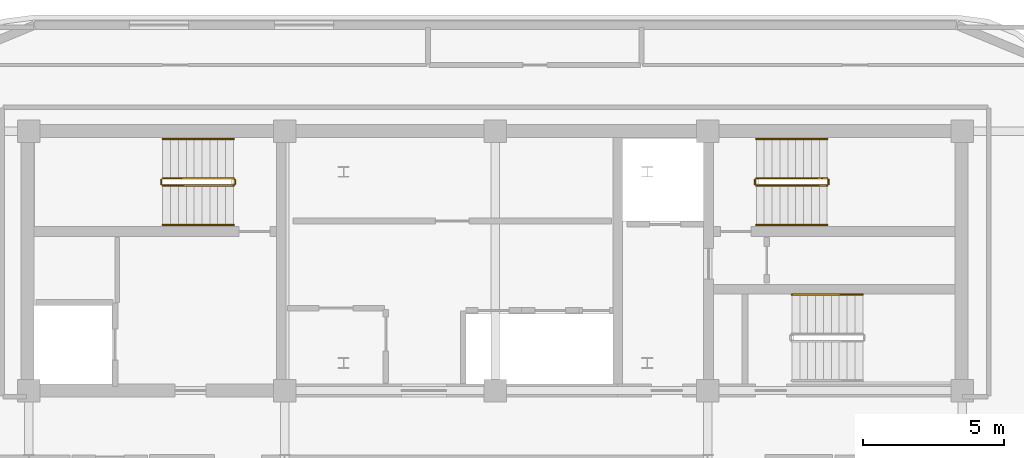
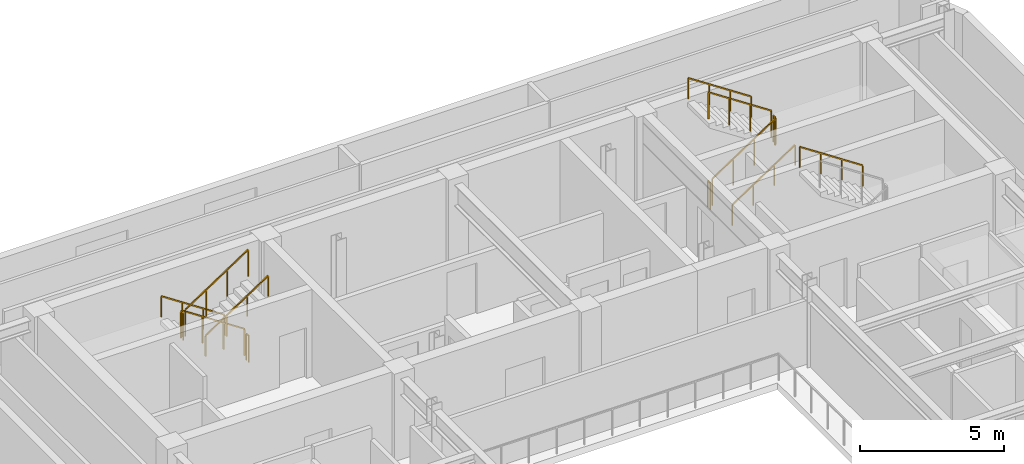
# One storey, part 13 of 13: 13 railings.
"""IFC4 building model written with IfcOpenShell, lengths in metres."""

from ifc_helpers import new_model, si_unit, direction, frame, origin, origin_2d, place, context, subcontext, project, spatial, rectangle, extrude, material, type_object, element, save


model = new_model("IFC4")

# Units and contexts
model_context = context("Model", 3, precision=1e-05, world=origin(), true_north=direction((0.0, 1.0)))
body_context = subcontext(model_context, "Body", "Model", "MODEL_VIEW")
ifc_project = project(units=[si_unit("LENGTHUNIT", "METRE"), si_unit("AREAUNIT", "SQUARE_METRE"), si_unit("VOLUMEUNIT", "CUBIC_METRE"), si_unit("PLANEANGLEUNIT", "RADIAN"), si_unit("MASSUNIT", "GRAM", prefix="KILO")], contexts=[model_context])

# Site, building, storey
site_placement = place(None, origin())
site = spatial("IfcSite", under=ifc_project, at=site_placement, CompositionType="ELEMENT")
building_placement = place(site_placement, origin())
building = spatial("IfcBuilding", under=site, at=building_placement, Name="Zarnavel Station Tower", CompositionType="ELEMENT")
storey_placement = place(building_placement, frame((0.0, 0.0, 247.300048828125)))
storey = spatial("IfcBuildingStorey", under=building, at=storey_placement, Name="L67", CompositionType="ELEMENT", Elevation=247.300048828125)

# Railings
ifc_material_1 = material(Name="Painted Steel S355J2 Balustrade", Category="steel")
railing_type_1 = type_object("IfcRailingType", Name="GR_INT_1150", PredefinedType="GUARDRAIL", material=ifc_material_1)
railing_1_placement = place(storey_placement, frame((19.47998046875, 35.3701171875, 0.18505859375)))
element("IfcRailing", 1, at=railing_1_placement, inside=storey, type_object=railing_type_1, Name="L67 ST1 stair guard 1", PredefinedType="GUARDRAIL", context=body_context, shape_type="SweptSolid", body=[
    extrude(rectangle(XDim=0.048095703125, YDim=0.048095703125, at=origin_2d()), frame((-0.001708984375, 0.0, 1.126953125), z_axis=(-0.83436851402, 0.0, 0.551207023552), x_axis=(0.0, -1.0, 0.0)), (0.0, 0.0, 1.0), 3.016357421875),
    extrude(rectangle(XDim=0.0419921875, YDim=0.0419921875, at=origin_2d()), origin(), (0.0, 0.0, 1.0), 1.101806640625),
    extrude(rectangle(XDim=0.0419921875, YDim=0.0419921875, at=origin_2d()), frame((-0.840087890625, 0.0, 0.554931640625)), (0.0, 0.0, 1.0), 1.101806640625),
    extrude(rectangle(XDim=0.0419921875, YDim=0.0419921875, at=origin_2d()), frame((-1.679931640625, 0.0, 1.10986328125)), (0.0, 0.0, 1.0), 1.101806640625),
    extrude(rectangle(XDim=0.0419921875, YDim=0.0419921875, at=origin_2d()), frame((-2.52001953125, 0.0, 1.664794921875)), (0.0, 0.0, 1.0), 1.101806640625),
])
railing_2_placement = place(storey_placement, frame((16.909912109375, 35.320068359375, 1.849853515625)))
element("IfcRailing", 2, at=railing_2_placement, inside=storey, type_object=railing_type_1, Name="L67 ST1 stair guard 2", PredefinedType="GUARDRAIL", context=body_context, shape_type="SweptSolid", body=[
    extrude(rectangle(XDim=0.048095703125, YDim=0.048095703125, at=origin_2d()), frame((0.0, -0.001953125, 1.1259765625), z_axis=(0.0, -1.0, 0.0), x_axis=(1.0, 0.0, 0.0)), (0.0, 0.0, 1.0), 0.15625),
    extrude(rectangle(XDim=0.0419921875, YDim=0.0419921875, at=origin_2d()), origin(), (0.0, 0.0, 1.0), 1.101806640625),
    extrude(rectangle(XDim=0.0419921875, YDim=0.0419921875, at=origin_2d()), frame((0.0, -0.16015625, 0.0)), (0.0, 0.0, 1.0), 1.101806640625),
])
railing_3_placement = place(storey_placement, frame((16.9599609375, 35.110107421875, 2.034912109375)))
element("IfcRailing", 3, at=railing_3_placement, inside=storey, type_object=railing_type_1, Name="L67 ST1 stair guard 3", PredefinedType="GUARDRAIL", context=body_context, shape_type="SweptSolid", body=[
    extrude(rectangle(XDim=0.048095703125, YDim=0.048095703125, at=origin_2d()), frame((0.001708984375, 0.0, 1.126953125), z_axis=(0.834331337432, 0.0, 0.55126329406), x_axis=(0.0, 1.0, 0.0)), (0.0, 0.0, 1.0), 3.016357421875),
    extrude(rectangle(XDim=0.0419921875, YDim=0.0419921875, at=origin_2d()), origin(), (0.0, 0.0, 1.0), 1.101806640625),
    extrude(rectangle(XDim=0.0419921875, YDim=0.0419921875, at=origin_2d()), frame((0.840087890625, 0.0, 0.554931640625)), (0.0, 0.0, 1.0), 1.101806640625),
    extrude(rectangle(XDim=0.0419921875, YDim=0.0419921875, at=origin_2d()), frame((1.679931640625, 0.0, 1.110107421875)), (0.0, 0.0, 1.0), 1.101806640625),
    extrude(rectangle(XDim=0.0419921875, YDim=0.0419921875, at=origin_2d()), frame((2.52001953125, 0.0, 1.6650390625)), (0.0, 0.0, 1.0), 1.101806640625),
])
railing_4_placement = place(storey_placement, frame((19.530029296875, 35.320068359375, 0.0)))
element("IfcRailing", 4, at=railing_4_placement, inside=storey, type_object=railing_type_1, Name="L67 ST1 stair guard 4", PredefinedType="GUARDRAIL", context=body_context, shape_type="SweptSolid", body=[
    extrude(rectangle(XDim=0.048095703125, YDim=0.048095703125, at=origin_2d()), frame((0.0, -0.001953125, 1.1259765625), z_axis=(0.0, -1.0, 0.0), x_axis=(1.0, 0.0, 0.0)), (0.0, 0.0, 1.0), 0.15625),
    extrude(rectangle(XDim=0.0419921875, YDim=0.0419921875, at=origin_2d()), origin(), (0.0, 0.0, 1.0), 1.101806640625),
    extrude(rectangle(XDim=0.0419921875, YDim=0.0419921875, at=origin_2d()), frame((0.0, -0.16015625, 0.0)), (0.0, 0.0, 1.0), 1.101806640625),
])
railing_5_placement = place(storey_placement, frame((38.080078125, 35.110107421875, 0.18505859375)))
element("IfcRailing", 5, at=railing_5_placement, inside=storey, type_object=railing_type_1, Name="L67 ST2 stair guard 1", PredefinedType="GUARDRAIL", context=body_context, shape_type="SweptSolid", body=[
    extrude(rectangle(XDim=0.048095703125, YDim=0.048095703125, at=origin_2d()), frame((0.001708984375, 0.0, 1.126953125), z_axis=(0.83436851402, 0.0, 0.551207023552), x_axis=(0.0, 1.0, 0.0)), (0.0, 0.0, 1.0), 3.016357421875),
    extrude(rectangle(XDim=0.0419921875, YDim=0.0419921875, at=origin_2d()), origin(), (0.0, 0.0, 1.0), 1.101806640625),
    extrude(rectangle(XDim=0.0419921875, YDim=0.0419921875, at=origin_2d()), frame((0.840087890625, 0.0, 0.554931640625)), (0.0, 0.0, 1.0), 1.101806640625),
    extrude(rectangle(XDim=0.0419921875, YDim=0.0419921875, at=origin_2d()), frame((1.679931640625, 0.0, 1.10986328125)), (0.0, 0.0, 1.0), 1.101806640625),
    extrude(rectangle(XDim=0.0419921875, YDim=0.0419921875, at=origin_2d()), frame((2.52001953125, 0.0, 1.664794921875)), (0.0, 0.0, 1.0), 1.101806640625),
])
railing_6_placement = place(storey_placement, frame((40.64990234375, 35.159912109375, 1.849853515625)))
element("IfcRailing", 6, at=railing_6_placement, inside=storey, type_object=railing_type_1, Name="L67 ST2 stair guard 2", PredefinedType="GUARDRAIL", context=body_context, shape_type="SweptSolid", body=[
    extrude(rectangle(XDim=0.048095703125, YDim=0.048095703125, at=origin_2d()), frame((0.0, 0.001953125, 1.1259765625), z_axis=(0.0, 1.0, 0.0), x_axis=(-1.0, 0.0, 0.0)), (0.0, 0.0, 1.0), 0.15625),
    extrude(rectangle(XDim=0.0419921875, YDim=0.0419921875, at=origin_2d()), origin(), (0.0, 0.0, 1.0), 1.101806640625),
    extrude(rectangle(XDim=0.0419921875, YDim=0.0419921875, at=origin_2d()), frame((0.0, 0.16015625, 0.0)), (0.0, 0.0, 1.0), 1.101806640625),
])
railing_7_placement = place(storey_placement, frame((40.60009765625, 35.3701171875, 2.034912109375)))
element("IfcRailing", 7, at=railing_7_placement, inside=storey, type_object=railing_type_1, Name="L67 ST2 stair guard 3", PredefinedType="GUARDRAIL", context=body_context, shape_type="SweptSolid", body=[
    extrude(rectangle(XDim=0.048095703125, YDim=0.048095703125, at=origin_2d()), frame((-0.001708984375, 0.0, 1.126953125), z_axis=(-0.834331337432, 0.0, 0.55126329406), x_axis=(0.0, -1.0, 0.0)), (0.0, 0.0, 1.0), 3.016357421875),
    extrude(rectangle(XDim=0.0419921875, YDim=0.0419921875, at=origin_2d()), origin(), (0.0, 0.0, 1.0), 1.101806640625),
    extrude(rectangle(XDim=0.0419921875, YDim=0.0419921875, at=origin_2d()), frame((-0.840087890625, 0.0, 0.554931640625)), (0.0, 0.0, 1.0), 1.101806640625),
    extrude(rectangle(XDim=0.0419921875, YDim=0.0419921875, at=origin_2d()), frame((-1.679931640625, 0.0, 1.110107421875)), (0.0, 0.0, 1.0), 1.101806640625),
    extrude(rectangle(XDim=0.0419921875, YDim=0.0419921875, at=origin_2d()), frame((-2.52001953125, 0.0, 1.6650390625)), (0.0, 0.0, 1.0), 1.101806640625),
])
railing_8_placement = place(storey_placement, frame((38.030029296875, 35.159912109375, 0.0)))
element("IfcRailing", 8, at=railing_8_placement, inside=storey, type_object=railing_type_1, Name="L67 ST2 stair guard 4", PredefinedType="GUARDRAIL", context=body_context, shape_type="SweptSolid", body=[
    extrude(rectangle(XDim=0.048095703125, YDim=0.048095703125, at=origin_2d()), frame((0.0, 0.001953125, 1.1259765625), z_axis=(0.0, 1.0, 0.0), x_axis=(-1.0, 0.0, 0.0)), (0.0, 0.0, 1.0), 0.15625),
    extrude(rectangle(XDim=0.0419921875, YDim=0.0419921875, at=origin_2d()), origin(), (0.0, 0.0, 1.0), 1.101806640625),
    extrude(rectangle(XDim=0.0419921875, YDim=0.0419921875, at=origin_2d()), frame((0.0, 0.16015625, 0.0)), (0.0, 0.0, 1.0), 1.101806640625),
])
ifc_material_2 = material(Name="Brushed Stainless Steel S355J2 Handrail", Category="steel")
railing_type_2 = type_object("IfcRailingType", Name="HR_STAIR_900", PredefinedType="HANDRAIL", material=ifc_material_2)
railing_9_placement = place(storey_placement, frame((19.47998046875, 36.77001953125, 0.18505859375)))
element("IfcRailing", 9, at=railing_9_placement, inside=storey, type_object=railing_type_2, Name="L67 ST1 stair handrail 1", PredefinedType="HANDRAIL", context=body_context, shape_type="SweptSolid", body=[
    extrude(rectangle(XDim=0.048095703125, YDim=0.048095703125, at=origin_2d()), frame((-0.001708984375, 0.0, 0.876953125), z_axis=(-0.83436851402, 0.0, 0.551207023552), x_axis=(0.0, -1.0, 0.0)), (0.0, 0.0, 1.0), 3.016357421875),
    extrude(rectangle(XDim=0.0419921875, YDim=0.0419921875, at=origin_2d()), origin(), (0.0, 0.0, 1.0), 0.851806640625),
    extrude(rectangle(XDim=0.0419921875, YDim=0.0419921875, at=origin_2d()), frame((-0.840087890625, 0.0, 0.554931640625)), (0.0, 0.0, 1.0), 0.851806640625),
    extrude(rectangle(XDim=0.0419921875, YDim=0.0419921875, at=origin_2d()), frame((-1.679931640625, 0.0, 1.10986328125)), (0.0, 0.0, 1.0), 0.851806640625),
    extrude(rectangle(XDim=0.0419921875, YDim=0.0419921875, at=origin_2d()), frame((-2.52001953125, 0.0, 1.664794921875)), (0.0, 0.0, 1.0), 0.851806640625),
])
railing_10_placement = place(storey_placement, frame((16.9599609375, 33.7099609375, 2.034912109375)))
element("IfcRailing", 10, at=railing_10_placement, inside=storey, type_object=railing_type_2, Name="L67 ST1 stair handrail 2", PredefinedType="HANDRAIL", context=body_context, shape_type="SweptSolid", body=[
    extrude(rectangle(XDim=0.048095703125, YDim=0.048095703125, at=origin_2d()), frame((0.001708984375, 0.0, 0.876953125), z_axis=(0.834331337432, 0.0, 0.55126329406), x_axis=(0.0, 1.0, 0.0)), (0.0, 0.0, 1.0), 3.016357421875),
    extrude(rectangle(XDim=0.0419921875, YDim=0.0419921875, at=origin_2d()), origin(), (0.0, 0.0, 1.0), 0.851806640625),
    extrude(rectangle(XDim=0.0419921875, YDim=0.0419921875, at=origin_2d()), frame((0.840087890625, 0.0, 0.554931640625)), (0.0, 0.0, 1.0), 0.851806640625),
    extrude(rectangle(XDim=0.0419921875, YDim=0.0419921875, at=origin_2d()), frame((1.679931640625, 0.0, 1.110107421875)), (0.0, 0.0, 1.0), 0.851806640625),
    extrude(rectangle(XDim=0.0419921875, YDim=0.0419921875, at=origin_2d()), frame((2.52001953125, 0.0, 1.6650390625)), (0.0, 0.0, 1.0), 0.851806640625),
])
railing_11_placement = place(storey_placement, frame((38.080078125, 33.7099609375, 0.18505859375)))
element("IfcRailing", 11, at=railing_11_placement, inside=storey, type_object=railing_type_2, Name="L67 ST2 stair handrail 1", PredefinedType="HANDRAIL", context=body_context, shape_type="SweptSolid", body=[
    extrude(rectangle(XDim=0.048095703125, YDim=0.048095703125, at=origin_2d()), frame((0.001708984375, 0.0, 0.876953125), z_axis=(0.83436851402, 0.0, 0.551207023552), x_axis=(0.0, 1.0, 0.0)), (0.0, 0.0, 1.0), 3.016357421875),
    extrude(rectangle(XDim=0.0419921875, YDim=0.0419921875, at=origin_2d()), origin(), (0.0, 0.0, 1.0), 0.851806640625),
    extrude(rectangle(XDim=0.0419921875, YDim=0.0419921875, at=origin_2d()), frame((0.840087890625, 0.0, 0.554931640625)), (0.0, 0.0, 1.0), 0.851806640625),
    extrude(rectangle(XDim=0.0419921875, YDim=0.0419921875, at=origin_2d()), frame((1.679931640625, 0.0, 1.10986328125)), (0.0, 0.0, 1.0), 0.851806640625),
    extrude(rectangle(XDim=0.0419921875, YDim=0.0419921875, at=origin_2d()), frame((2.52001953125, 0.0, 1.664794921875)), (0.0, 0.0, 1.0), 0.851806640625),
])
for number, where, name in (
    (12, (40.60009765625, 36.77001953125, 2.034912109375), "L67 ST2 stair handrail 2"),
    (13, (41.8701171875, 31.22998046875, 2.034912109375), "L67 ST3 stair handrail 2"),
):
    element("IfcRailing", number, at=place(storey_placement, frame(where)), inside=storey, type_object=railing_type_2, Name=name, PredefinedType="HANDRAIL", context=body_context, shape_type="SweptSolid", body=[
        extrude(rectangle(XDim=0.048095703125, YDim=0.048095703125, at=origin_2d()), frame((-0.001708984375, 0.0, 0.876953125), z_axis=(-0.834331337432, 0.0, 0.55126329406), x_axis=(0.0, -1.0, 0.0)), (0.0, 0.0, 1.0), 3.016357421875),
        extrude(rectangle(XDim=0.0419921875, YDim=0.0419921875, at=origin_2d()), origin(), (0.0, 0.0, 1.0), 0.851806640625),
        extrude(rectangle(XDim=0.0419921875, YDim=0.0419921875, at=origin_2d()), frame((-0.840087890625, 0.0, 0.554931640625)), (0.0, 0.0, 1.0), 0.851806640625),
        extrude(rectangle(XDim=0.0419921875, YDim=0.0419921875, at=origin_2d()), frame((-1.679931640625, 0.0, 1.110107421875)), (0.0, 0.0, 1.0), 0.851806640625),
        extrude(rectangle(XDim=0.0419921875, YDim=0.0419921875, at=origin_2d()), frame((-2.52001953125, 0.0, 1.6650390625)), (0.0, 0.0, 1.0), 0.851806640625),
    ])

save(model, "model.ifc")
